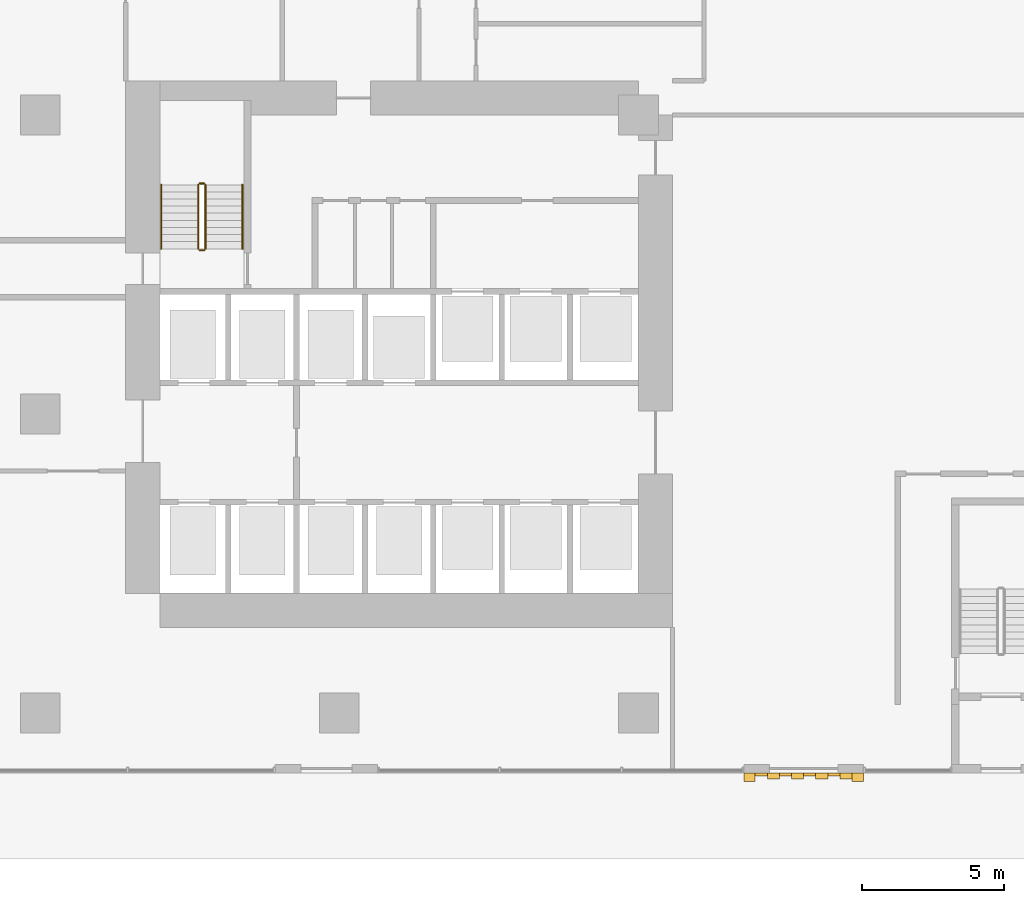
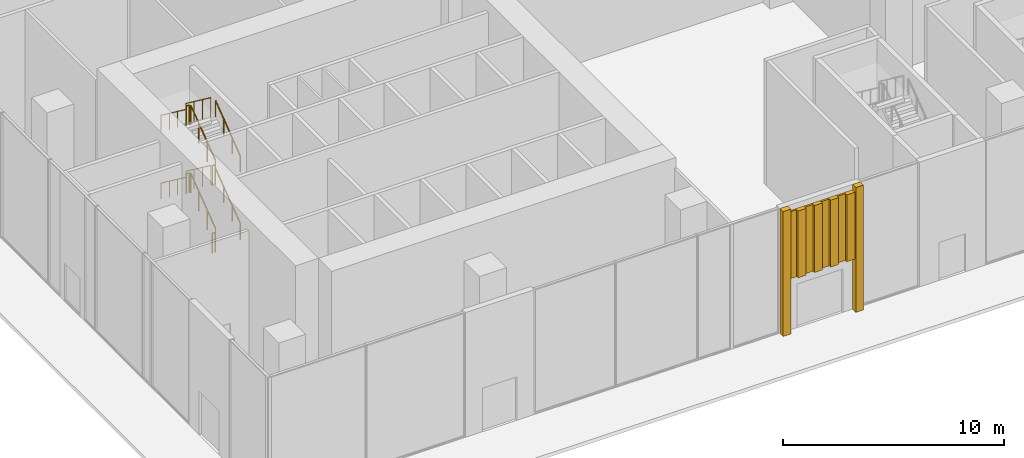
# One storey, part 20 of 26: 12 railings, 10 coverings.
"""IFC4 building model written with IfcOpenShell, lengths in metres."""

from ifc_helpers import new_model, si_unit, direction, frame, origin, origin_2d, place, context, subcontext, project, spatial, rectangle, circle, extrude, source, transform, mapped, material, type_object, element, save


model = new_model("IFC4")

# Units and contexts
model_context = context("Model", 3, precision=1e-05, world=origin(), true_north=direction((0.0, 1.0)))
body_context = subcontext(model_context, "Body", "Model", "MODEL_VIEW")
ifc_project = project(units=[si_unit("LENGTHUNIT", "METRE"), si_unit("AREAUNIT", "SQUARE_METRE"), si_unit("VOLUMEUNIT", "CUBIC_METRE"), si_unit("PLANEANGLEUNIT", "RADIAN"), si_unit("MASSUNIT", "GRAM", prefix="KILO")], contexts=[model_context])

# Site, building, storey
site_placement = place(None, origin())
site = spatial("IfcSite", under=ifc_project, at=site_placement, CompositionType="ELEMENT")
building_placement = place(site_placement, origin())
building = spatial("IfcBuilding", under=site, at=building_placement, Name="Aurelian Terraces", CompositionType="ELEMENT")
storey_placement = place(building_placement, origin())
storey = spatial("IfcBuildingStorey", under=building, at=storey_placement, Name="L00", CompositionType="ELEMENT", Elevation=0.0)

# Coverings
ifc_material_1 = material(Name="Terracotta rainscreen cladding relief", Category="masonry")
covering_type = type_object("IfcCoveringType", Name="FIN-TC", PredefinedType="CLADDING", material=ifc_material_1)
covering_1_placement = place(storey_placement, frame((24.9, -2.25, 0.0), z_axis=(0.0, 0.0, 1.0), x_axis=(1.0, 0.0, 0.0)))
element("IfcCovering", 1, at=covering_1_placement, inside=storey, type_object=covering_type, Name="FIN entrance L00 F01", PredefinedType="CLADDING", context=body_context, shape_type="SweptSolid", body=[
    extrude(rectangle(XDim=0.4, YDim=0.3, at=origin_2d()), origin(), (0.0, 0.0, 1.0), 6.9),
])
covering_2_placement = place(storey_placement, frame((25.3125, -2.15, 2.9), z_axis=(0.0, 0.0, 1.0), x_axis=(1.0, 0.0, 0.0)))
element("IfcCovering", 2, at=covering_2_placement, inside=storey, type_object=covering_type, Name="FIN chevron relief L00 F01", PredefinedType="CLADDING", context=body_context, shape_type="SweptSolid", body=[
    extrude(rectangle(XDim=0.425, YDim=0.1, at=origin_2d()), origin(), (0.0, 0.0, 1.0), 3.7),
])
covering_3_placement = place(storey_placement, frame((25.7375, -2.21, 2.9), z_axis=(0.0, 0.0, 1.0), x_axis=(1.0, 0.0, 0.0)))
element("IfcCovering", 3, at=covering_3_placement, inside=storey, type_object=covering_type, Name="FIN chevron relief L00 F01", PredefinedType="CLADDING", context=body_context, shape_type="SweptSolid", body=[
    extrude(rectangle(XDim=0.425, YDim=0.22, at=origin_2d()), origin(), (0.0, 0.0, 1.0), 3.7),
])

# Railings
ifc_material_2 = material(Name="Stainless steel", Category="steel")
railing_type_1 = type_object("IfcRailingType", Name="Stair guard 1100", PredefinedType="GUARDRAIL", material=ifc_material_2)
railing_1_placement = place(storey_placement, frame((5.8, 16.3, 0.1875)))
element("IfcRailing", 4, at=railing_1_placement, inside=storey, type_object=railing_type_1, Name="L00 S1 stair guard 1", PredefinedType="GUARDRAIL", context=body_context, shape_type="SweptSolid", body=[
    extrude(circle(Radius=0.024, at=origin_2d()), frame((0.0, 0.0, 1.076), z_axis=(0.0, 0.8, 0.6), x_axis=(-1.0, 0.0, 0.0)), (0.0, 0.0, 1.0), 2.8125),
    extrude(circle(Radius=0.021, at=origin_2d()), origin(), (0.0, 0.0, 1.0), 1.052),
    extrude(circle(Radius=0.021, at=origin_2d()), frame((0.0, 0.75, 0.5625)), (0.0, 0.0, 1.0), 1.052),
    extrude(circle(Radius=0.021, at=origin_2d()), frame((0.0, 1.5, 1.125)), (0.0, 0.0, 1.0), 1.052),
    extrude(circle(Radius=0.021, at=origin_2d()), frame((0.0, 2.25, 1.6875)), (0.0, 0.0, 1.0), 1.052),
])
railing_2_placement = place(storey_placement, frame((5.55, 18.55, 2.0625)))
element("IfcRailing", 5, at=railing_2_placement, inside=storey, type_object=railing_type_1, Name="L00 S1 stair guard 3", PredefinedType="GUARDRAIL", context=body_context, shape_type="SweptSolid", body=[
    extrude(circle(Radius=0.024, at=origin_2d()), frame((0.0, 0.0, 1.076), z_axis=(0.0, -0.8, 0.6), x_axis=(1.0, 0.0, 0.0)), (0.0, 0.0, 1.0), 2.8125),
    extrude(circle(Radius=0.021, at=origin_2d()), origin(), (0.0, 0.0, 1.0), 1.052),
    extrude(circle(Radius=0.021, at=origin_2d()), frame((0.0, -0.75, 0.5625)), (0.0, 0.0, 1.0), 1.052),
    extrude(circle(Radius=0.021, at=origin_2d()), frame((0.0, -1.5, 1.125)), (0.0, 0.0, 1.0), 1.052),
    extrude(circle(Radius=0.021, at=origin_2d()), frame((0.0, -2.25, 1.6875)), (0.0, 0.0, 1.0), 1.052),
])
railing_type_2 = type_object("IfcRailingType", Name="Stair handrail", PredefinedType="HANDRAIL", material=ifc_material_2)
railing_3_placement = place(storey_placement, frame((7.1, 16.3, 0.1875)))
element("IfcRailing", 6, at=railing_3_placement, inside=storey, type_object=railing_type_2, Name="L00 S1 stair handrail 1", PredefinedType="HANDRAIL", context=body_context, shape_type="SweptSolid", body=[
    extrude(circle(Radius=0.024, at=origin_2d()), frame((0.0, 0.0, 0.876), z_axis=(0.0, 0.8, 0.6), x_axis=(-1.0, 0.0, 0.0)), (0.0, 0.0, 1.0), 2.8125),
    extrude(circle(Radius=0.021, at=origin_2d()), origin(), (0.0, 0.0, 1.0), 0.852),
    extrude(circle(Radius=0.021, at=origin_2d()), frame((0.0, 0.75, 0.5625)), (0.0, 0.0, 1.0), 0.852),
    extrude(circle(Radius=0.021, at=origin_2d()), frame((0.0, 1.5, 1.125)), (0.0, 0.0, 1.0), 0.852),
    extrude(circle(Radius=0.021, at=origin_2d()), frame((0.0, 2.25, 1.6875)), (0.0, 0.0, 1.0), 0.852),
])
railing_4_placement = place(storey_placement, frame((4.25, 18.55, 2.0625)))
element("IfcRailing", 7, at=railing_4_placement, inside=storey, type_object=railing_type_2, Name="L00 S1 stair handrail 2", PredefinedType="HANDRAIL", context=body_context, shape_type="SweptSolid", body=[
    extrude(circle(Radius=0.024, at=origin_2d()), frame((0.0, 0.0, 0.876), z_axis=(0.0, -0.8, 0.6), x_axis=(1.0, 0.0, 0.0)), (0.0, 0.0, 1.0), 2.8125),
    extrude(circle(Radius=0.021, at=origin_2d()), origin(), (0.0, 0.0, 1.0), 0.852),
    extrude(circle(Radius=0.021, at=origin_2d()), frame((0.0, -0.75, 0.5625)), (0.0, 0.0, 1.0), 0.852),
    extrude(circle(Radius=0.021, at=origin_2d()), frame((0.0, -1.5, 1.125)), (0.0, 0.0, 1.0), 0.852),
    extrude(circle(Radius=0.021, at=origin_2d()), frame((0.0, -2.25, 1.6875)), (0.0, 0.0, 1.0), 0.852),
])

# Coverings
shared_shape_1 = source(origin(), body_context, "Body", "SweptSolid", [
    extrude(rectangle(XDim=0.4, YDim=0.3, at=origin_2d()), origin(), (0.0, 0.0, 1.0), 6.9),
])
covering_4_placement = place(storey_placement, frame((28.7, -2.25, 0.0), z_axis=(0.0, 0.0, 1.0), x_axis=(1.0, 0.0, 0.0)))
element("IfcCovering", 8, at=covering_4_placement, inside=storey, type_object=covering_type, Name="FIN entrance L00 F01", PredefinedType="CLADDING", context=body_context, shape_type="MappedRepresentation", body=[
    mapped(shared_shape_1, transform((0.0, 0.0, 0.0), scale=1.0)),
])
shared_shape_2 = source(origin(), body_context, "Body", "SweptSolid", [
    extrude(rectangle(XDim=0.425, YDim=0.1, at=origin_2d()), origin(), (0.0, 0.0, 1.0), 3.7),
])
for number, where, z_axis, x_axis, name in (
    (9, (26.1625, -2.15, 2.9), (0.0, 0.0, 1.0), (1.0, 0.0, 0.0), "FIN chevron relief L00 F01"),
    (10, (27.0125, -2.15, 2.9), (0.0, 0.0, 1.0), (1.0, 0.0, 0.0), "FIN chevron relief L00 F01"),
    (11, (27.8625, -2.15, 2.9), (0.0, 0.0, 1.0), (1.0, 0.0, 0.0), "FIN chevron relief L00 F01"),
):
    element("IfcCovering", number, at=place(storey_placement, frame(where, z_axis=z_axis, x_axis=x_axis)), inside=storey, type_object=covering_type, Name=name, PredefinedType="CLADDING", context=body_context, shape_type="MappedRepresentation", body=[
        mapped(shared_shape_2, transform((0.0, 0.0, 0.0), scale=1.0)),
    ])
shared_shape_3 = source(origin(), body_context, "Body", "SweptSolid", [
    extrude(rectangle(XDim=0.425, YDim=0.22, at=origin_2d()), origin(), (0.0, 0.0, 1.0), 3.7),
])
for number, where, z_axis, x_axis, name in (
    (12, (26.5875, -2.21, 2.9), (0.0, 0.0, 1.0), (1.0, 0.0, 0.0), "FIN chevron relief L00 F01"),
    (13, (27.4375, -2.21, 2.9), (0.0, 0.0, 1.0), (1.0, 0.0, 0.0), "FIN chevron relief L00 F01"),
    (14, (28.2875, -2.21, 2.9), (0.0, 0.0, 1.0), (1.0, 0.0, 0.0), "FIN chevron relief L00 F01"),
):
    element("IfcCovering", number, at=place(storey_placement, frame(where, z_axis=z_axis, x_axis=x_axis)), inside=storey, type_object=covering_type, Name=name, PredefinedType="CLADDING", context=body_context, shape_type="MappedRepresentation", body=[
        mapped(shared_shape_3, transform((0.0, 0.0, 0.0), scale=1.0)),
    ])

# Railings
shared_shape_4 = source(origin(), body_context, "Body", "SweptSolid", [
    extrude(circle(Radius=0.024, at=origin_2d()), frame((0.0, 0.0, 1.076), z_axis=(-1.0, 0.0, 0.0), x_axis=(0.0, -1.0, 0.0)), (0.0, 0.0, 1.0), 0.15),
    extrude(circle(Radius=0.021, at=origin_2d()), origin(), (0.0, 0.0, 1.0), 1.052),
    extrude(circle(Radius=0.021, at=origin_2d()), frame((-0.15, 0.0, 0.0)), (0.0, 0.0, 1.0), 1.052),
])
for number, where, name in (
    (15, (5.75, 18.6, 1.875), "L00 S1 stair guard 2"),
    (16, (5.75, 16.25, 3.75), "L00 S1 stair guard 4"),
    (17, (5.75, 18.6, 5.625), "L00 S1 stair guard 6"),
    (18, (5.75, 16.25, 0.0), "L00 S1 stair guard 8"),
):
    element("IfcRailing", number, at=place(storey_placement, frame(where)), inside=storey, type_object=railing_type_1, Name=name, PredefinedType="GUARDRAIL", context=body_context, shape_type="MappedRepresentation", body=[
        mapped(shared_shape_4, transform((0.0, 0.0, 0.0), scale=1.0)),
    ])
shared_shape_5 = source(origin(), body_context, "Body", "SweptSolid", [
    extrude(circle(Radius=0.024, at=origin_2d()), frame((0.0, 0.0, 1.076), z_axis=(0.0, 0.8, 0.6), x_axis=(-1.0, 0.0, 0.0)), (0.0, 0.0, 1.0), 2.8125),
    extrude(circle(Radius=0.021, at=origin_2d()), origin(), (0.0, 0.0, 1.0), 1.052),
    extrude(circle(Radius=0.021, at=origin_2d()), frame((0.0, 0.75, 0.5625)), (0.0, 0.0, 1.0), 1.052),
    extrude(circle(Radius=0.021, at=origin_2d()), frame((0.0, 1.5, 1.125)), (0.0, 0.0, 1.0), 1.052),
    extrude(circle(Radius=0.021, at=origin_2d()), frame((0.0, 2.25, 1.6875)), (0.0, 0.0, 1.0), 1.052),
])
railing_5_placement = place(storey_placement, frame((5.8, 16.3, 3.9375)))
element("IfcRailing", 19, at=railing_5_placement, inside=storey, type_object=railing_type_1, Name="L00 S1 stair guard 5", PredefinedType="GUARDRAIL", context=body_context, shape_type="MappedRepresentation", body=[
    mapped(shared_shape_5, transform((0.0, 0.0, 0.0), scale=1.0)),
])
shared_shape_6 = source(origin(), body_context, "Body", "SweptSolid", [
    extrude(circle(Radius=0.024, at=origin_2d()), frame((0.0, 0.0, 1.076), z_axis=(0.0, -0.8, 0.6), x_axis=(1.0, 0.0, 0.0)), (0.0, 0.0, 1.0), 2.8125),
    extrude(circle(Radius=0.021, at=origin_2d()), origin(), (0.0, 0.0, 1.0), 1.052),
    extrude(circle(Radius=0.021, at=origin_2d()), frame((0.0, -0.75, 0.5625)), (0.0, 0.0, 1.0), 1.052),
    extrude(circle(Radius=0.021, at=origin_2d()), frame((0.0, -1.5, 1.125)), (0.0, 0.0, 1.0), 1.052),
    extrude(circle(Radius=0.021, at=origin_2d()), frame((0.0, -2.25, 1.6875)), (0.0, 0.0, 1.0), 1.052),
])
railing_6_placement = place(storey_placement, frame((5.55, 18.55, 5.8125)))
element("IfcRailing", 20, at=railing_6_placement, inside=storey, type_object=railing_type_1, Name="L00 S1 stair guard 7", PredefinedType="GUARDRAIL", context=body_context, shape_type="MappedRepresentation", body=[
    mapped(shared_shape_6, transform((0.0, 0.0, 0.0), scale=1.0)),
])
shared_shape_7 = source(origin(), body_context, "Body", "SweptSolid", [
    extrude(circle(Radius=0.024, at=origin_2d()), frame((0.0, 0.0, 0.876), z_axis=(0.0, 0.8, 0.6), x_axis=(-1.0, 0.0, 0.0)), (0.0, 0.0, 1.0), 2.8125),
    extrude(circle(Radius=0.021, at=origin_2d()), origin(), (0.0, 0.0, 1.0), 0.852),
    extrude(circle(Radius=0.021, at=origin_2d()), frame((0.0, 0.75, 0.5625)), (0.0, 0.0, 1.0), 0.852),
    extrude(circle(Radius=0.021, at=origin_2d()), frame((0.0, 1.5, 1.125)), (0.0, 0.0, 1.0), 0.852),
    extrude(circle(Radius=0.021, at=origin_2d()), frame((0.0, 2.25, 1.6875)), (0.0, 0.0, 1.0), 0.852),
])
railing_7_placement = place(storey_placement, frame((7.1, 16.3, 3.9375)))
element("IfcRailing", 21, at=railing_7_placement, inside=storey, type_object=railing_type_2, Name="L00 S1 stair handrail 3", PredefinedType="HANDRAIL", context=body_context, shape_type="MappedRepresentation", body=[
    mapped(shared_shape_7, transform((0.0, 0.0, 0.0), scale=1.0)),
])
shared_shape_8 = source(origin(), body_context, "Body", "SweptSolid", [
    extrude(circle(Radius=0.024, at=origin_2d()), frame((0.0, 0.0, 0.876), z_axis=(0.0, -0.8, 0.6), x_axis=(1.0, 0.0, 0.0)), (0.0, 0.0, 1.0), 2.8125),
    extrude(circle(Radius=0.021, at=origin_2d()), origin(), (0.0, 0.0, 1.0), 0.852),
    extrude(circle(Radius=0.021, at=origin_2d()), frame((0.0, -0.75, 0.5625)), (0.0, 0.0, 1.0), 0.852),
    extrude(circle(Radius=0.021, at=origin_2d()), frame((0.0, -1.5, 1.125)), (0.0, 0.0, 1.0), 0.852),
    extrude(circle(Radius=0.021, at=origin_2d()), frame((0.0, -2.25, 1.6875)), (0.0, 0.0, 1.0), 0.852),
])
railing_8_placement = place(storey_placement, frame((4.25, 18.55, 5.8125)))
element("IfcRailing", 22, at=railing_8_placement, inside=storey, type_object=railing_type_2, Name="L00 S1 stair handrail 4", PredefinedType="HANDRAIL", context=body_context, shape_type="MappedRepresentation", body=[
    mapped(shared_shape_8, transform((0.0, 0.0, 0.0), scale=1.0)),
])

save(model, "model.ifc")
